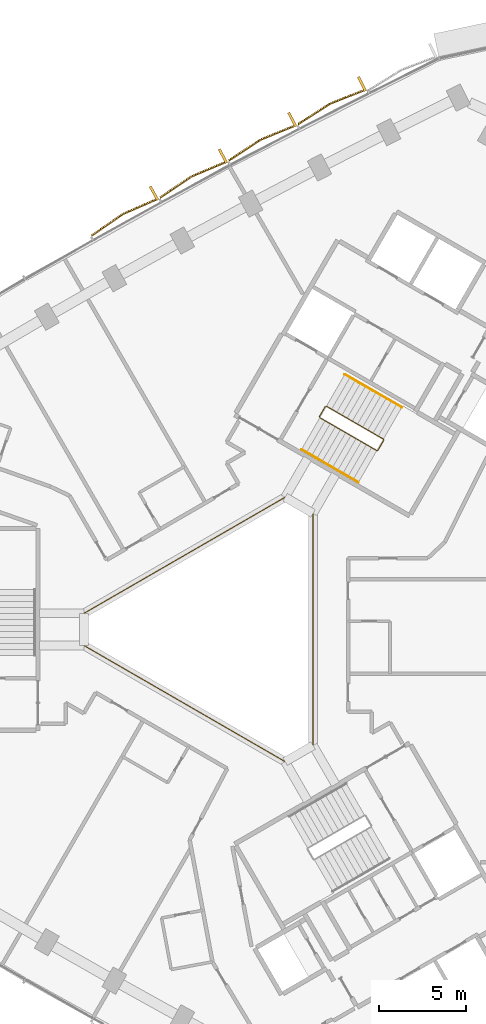
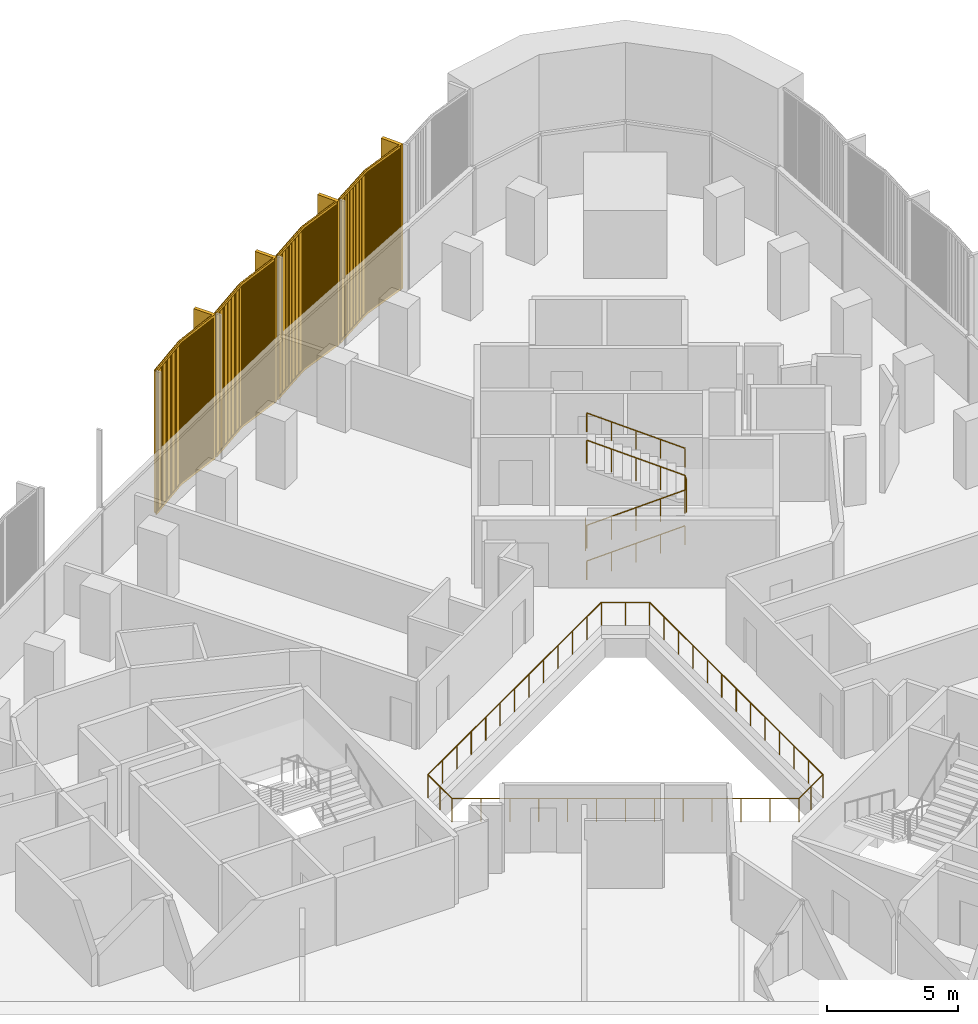
# One storey, part 14 of 15: 4 coverings, 4 railings.
"""IFC4 building model written with IfcOpenShell, lengths in metres."""

from ifc_helpers import new_model, si_unit, direction, frame, frame_2d, origin, origin_2d, place, context, subcontext, project, spatial, rectangle, circle, extrude, source, transform, mapped, material, type_object, element, save


model = new_model("IFC4")

# Units and contexts
model_context = context("Model", 3, precision=1e-05, world=origin(), true_north=direction((0.0, 1.0)))
body_context = subcontext(model_context, "Body", "Model", "MODEL_VIEW")
ifc_project = project(units=[si_unit("LENGTHUNIT", "METRE"), si_unit("AREAUNIT", "SQUARE_METRE"), si_unit("VOLUMEUNIT", "CUBIC_METRE"), si_unit("PLANEANGLEUNIT", "RADIAN"), si_unit("MASSUNIT", "GRAM", prefix="KILO")], contexts=[model_context])

# Site, building, storey
site_placement = place(None, origin())
site = spatial("IfcSite", under=ifc_project, at=site_placement, CompositionType="ELEMENT")
building_placement = place(site_placement, origin())
building = spatial("IfcBuilding", under=site, at=building_placement, Name="Tamra Quay Hotel Tower", CompositionType="ELEMENT")
storey_placement = place(building_placement, frame((0.0, 0.0, 90.199951171875)))
storey = spatial("IfcBuildingStorey", under=building, at=storey_placement, Name="L21", CompositionType="ELEMENT", Elevation=90.199951171875)

# Railings
ifc_material_1 = material(Name="Guard atrium edge 1100")
railing_type_1 = type_object("IfcRailingType", Name="Guard atrium edge 1100", PredefinedType="GUARDRAIL", material=ifc_material_1)
railing_1_placement = place(storey_placement, frame((4.89990234375, -6.639892578125, 0.0)))
element("IfcRailing", 1, at=railing_1_placement, inside=storey, type_object=railing_type_1, Name="G-A", PredefinedType="GUARDRAIL", context=body_context, shape_type="SweptSolid", body=[
    extrude(circle(Radius=0.02392578125, at=origin_2d()), frame((0.0, 0.0, 1.076171875), z_axis=(-0.866161379324, -0.499764409465, 0.0), x_axis=(0.499764409465, -0.866161379324, 0.0)), (0.0, 0.0, 1.0), 1.84716796875),
    extrude(circle(Radius=0.02392578125, at=origin_2d()), frame((-1.599853515625, -0.923095703125, 1.076171875), z_axis=(-0.866045362687, 0.499965428574, 0.0), x_axis=(-0.499965428574, -0.866045362687, 0.0)), (0.0, 0.0, 1.0), 13.27880859375),
    extrude(circle(Radius=0.02392578125, at=origin_2d()), frame((-13.099853515625, 5.7158203125, 1.076171875), z_axis=(0.0, 1.0, 0.0), x_axis=(-1.0, 0.0, 0.0)), (0.0, 0.0, 1.0), 1.84814453125),
    extrude(circle(Radius=0.02392578125, at=origin_2d()), frame((-13.099853515625, 7.56396484375, 1.076171875), z_axis=(0.866045362687, 0.499965428574, 0.0), x_axis=(-0.499965428574, 0.866045362687, 0.0)), (0.0, 0.0, 1.0), 13.27880859375),
    extrude(circle(Radius=0.02392578125, at=origin_2d()), frame((-1.599853515625, 14.202880859375, 1.076171875), z_axis=(0.866161379324, -0.499764409465, 0.0), x_axis=(0.499764409465, 0.866161379324, 0.0)), (0.0, 0.0, 1.0), 1.84716796875),
    extrude(circle(Radius=0.02392578125, at=origin_2d()), frame((0.0, 13.27978515625, 1.076171875), z_axis=(0.0, -1.0, 0.0), x_axis=(1.0, 0.0, 0.0)), (0.0, 0.0, 1.0), 13.27978515625),
    extrude(circle(Radius=0.02099609375, at=origin_2d()), origin(), (0.0, 0.0, 1.0), 1.052001953125),
    extrude(circle(Radius=0.02099609375, at=origin_2d()), frame((-0.7998046875, -0.46142578125, 0.0)), (0.0, 0.0, 1.0), 1.052001953125),
    extrude(circle(Radius=0.02099609375, at=origin_2d()), frame((-1.599853515625, -0.923095703125, 0.0)), (0.0, 0.0, 1.0), 1.052001953125),
    extrude(circle(Radius=0.02099609375, at=origin_2d()), frame((-2.55810546875, -0.369873046875, 0.0)), (0.0, 0.0, 1.0), 1.052001953125),
    extrude(circle(Radius=0.02099609375, at=origin_2d()), frame((-3.5166015625, 0.183349609375, 0.0)), (0.0, 0.0, 1.0), 1.052001953125),
    extrude(circle(Radius=0.02099609375, at=origin_2d()), frame((-4.474853515625, 0.736572265625, 0.0)), (0.0, 0.0, 1.0), 1.052001953125),
    extrude(circle(Radius=0.02099609375, at=origin_2d()), frame((-5.43310546875, 1.289794921875, 0.0)), (0.0, 0.0, 1.0), 1.052001953125),
    extrude(circle(Radius=0.02099609375, at=origin_2d()), frame((-6.3916015625, 1.843017578125, 0.0)), (0.0, 0.0, 1.0), 1.052001953125),
    extrude(circle(Radius=0.02099609375, at=origin_2d()), frame((-7.349853515625, 2.396484375, 0.0)), (0.0, 0.0, 1.0), 1.052001953125),
    extrude(circle(Radius=0.02099609375, at=origin_2d()), frame((-8.30810546875, 2.94970703125, 0.0)), (0.0, 0.0, 1.0), 1.052001953125),
    extrude(circle(Radius=0.02099609375, at=origin_2d()), frame((-9.2666015625, 3.5029296875, 0.0)), (0.0, 0.0, 1.0), 1.052001953125),
    extrude(circle(Radius=0.02099609375, at=origin_2d()), frame((-10.224853515625, 4.05615234375, 0.0)), (0.0, 0.0, 1.0), 1.052001953125),
    extrude(circle(Radius=0.02099609375, at=origin_2d()), frame((-11.18310546875, 4.609375, 0.0)), (0.0, 0.0, 1.0), 1.052001953125),
    extrude(circle(Radius=0.02099609375, at=origin_2d()), frame((-12.1416015625, 5.16259765625, 0.0)), (0.0, 0.0, 1.0), 1.052001953125),
    extrude(circle(Radius=0.02099609375, at=origin_2d()), frame((-13.099853515625, 5.7158203125, 0.0)), (0.0, 0.0, 1.0), 1.052001953125),
    extrude(circle(Radius=0.02099609375, at=origin_2d()), frame((-13.099853515625, 6.639892578125, 0.0)), (0.0, 0.0, 1.0), 1.052001953125),
    extrude(circle(Radius=0.02099609375, at=origin_2d()), frame((-13.099853515625, 7.56396484375, 0.0)), (0.0, 0.0, 1.0), 1.052001953125),
    extrude(circle(Radius=0.02099609375, at=origin_2d()), frame((-12.1416015625, 8.1171875, 0.0)), (0.0, 0.0, 1.0), 1.052001953125),
    extrude(circle(Radius=0.02099609375, at=origin_2d()), frame((-11.18310546875, 8.67041015625, 0.0)), (0.0, 0.0, 1.0), 1.052001953125),
    extrude(circle(Radius=0.02099609375, at=origin_2d()), frame((-10.224853515625, 9.2236328125, 0.0)), (0.0, 0.0, 1.0), 1.052001953125),
    extrude(circle(Radius=0.02099609375, at=origin_2d()), frame((-9.2666015625, 9.77685546875, 0.0)), (0.0, 0.0, 1.0), 1.052001953125),
    extrude(circle(Radius=0.02099609375, at=origin_2d()), frame((-8.30810546875, 10.330078125, 0.0)), (0.0, 0.0, 1.0), 1.052001953125),
    extrude(circle(Radius=0.02099609375, at=origin_2d()), frame((-7.349853515625, 10.88330078125, 0.0)), (0.0, 0.0, 1.0), 1.052001953125),
    extrude(circle(Radius=0.02099609375, at=origin_2d()), frame((-6.3916015625, 11.436767578125, 0.0)), (0.0, 0.0, 1.0), 1.052001953125),
    extrude(circle(Radius=0.02099609375, at=origin_2d()), frame((-5.43310546875, 11.989990234375, 0.0)), (0.0, 0.0, 1.0), 1.052001953125),
    extrude(circle(Radius=0.02099609375, at=origin_2d()), frame((-4.474853515625, 12.543212890625, 0.0)), (0.0, 0.0, 1.0), 1.052001953125),
    extrude(circle(Radius=0.02099609375, at=origin_2d()), frame((-3.5166015625, 13.096435546875, 0.0)), (0.0, 0.0, 1.0), 1.052001953125),
    extrude(circle(Radius=0.02099609375, at=origin_2d()), frame((-2.55810546875, 13.649658203125, 0.0)), (0.0, 0.0, 1.0), 1.052001953125),
    extrude(circle(Radius=0.02099609375, at=origin_2d()), frame((-1.599853515625, 14.202880859375, 0.0)), (0.0, 0.0, 1.0), 1.052001953125),
    extrude(circle(Radius=0.02099609375, at=origin_2d()), frame((-0.7998046875, 13.7412109375, 0.0)), (0.0, 0.0, 1.0), 1.052001953125),
    extrude(circle(Radius=0.02099609375, at=origin_2d()), frame((0.0, 13.27978515625, 0.0)), (0.0, 0.0, 1.0), 1.052001953125),
    extrude(circle(Radius=0.02099609375, at=origin_2d()), frame((0.0, 12.173095703125, 0.0)), (0.0, 0.0, 1.0), 1.052001953125),
    extrude(circle(Radius=0.02099609375, at=origin_2d()), frame((0.0, 11.06640625, 0.0)), (0.0, 0.0, 1.0), 1.052001953125),
    extrude(circle(Radius=0.02099609375, at=origin_2d()), frame((0.0, 9.9599609375, 0.0)), (0.0, 0.0, 1.0), 1.052001953125),
    extrude(circle(Radius=0.02099609375, at=origin_2d()), frame((0.0, 8.853271484375, 0.0)), (0.0, 0.0, 1.0), 1.052001953125),
    extrude(circle(Radius=0.02099609375, at=origin_2d()), frame((0.0, 7.74658203125, 0.0)), (0.0, 0.0, 1.0), 1.052001953125),
    extrude(circle(Radius=0.02099609375, at=origin_2d()), frame((0.0, 6.639892578125, 0.0)), (0.0, 0.0, 1.0), 1.052001953125),
    extrude(circle(Radius=0.02099609375, at=origin_2d()), frame((0.0, 5.533203125, 0.0)), (0.0, 0.0, 1.0), 1.052001953125),
    extrude(circle(Radius=0.02099609375, at=origin_2d()), frame((0.0, 4.426513671875, 0.0)), (0.0, 0.0, 1.0), 1.052001953125),
    extrude(circle(Radius=0.02099609375, at=origin_2d()), frame((0.0, 3.31982421875, 0.0)), (0.0, 0.0, 1.0), 1.052001953125),
    extrude(circle(Radius=0.02099609375, at=origin_2d()), frame((0.0, 2.21337890625, 0.0)), (0.0, 0.0, 1.0), 1.052001953125),
    extrude(circle(Radius=0.02099609375, at=origin_2d()), frame((0.0, 1.106689453125, 0.0)), (0.0, 0.0, 1.0), 1.052001953125),
])
ifc_material_2 = material(Name="Stair guard 1100")
railing_type_2 = type_object("IfcRailingType", Name="Stair guard 1100", PredefinedType="GUARDRAIL", material=ifc_material_2)
railing_2_placement = place(storey_placement, frame((5.595458984375, 12.751953125, 0.0)))
element("IfcRailing", 2, at=railing_2_placement, inside=storey, type_object=railing_type_2, Name="GR", PredefinedType="GUARDRAIL", context=body_context, shape_type="SweptSolid", body=[
    extrude(circle(Radius=0.02392578125, at=origin_2d()), frame((0.0, 0.0, 1.076171875), z_axis=(-0.499765215335, -0.866160914346, 0.0), x_axis=(0.866160914346, -0.499765215335, 0.0)), (0.0, 0.0, 1.0), 0.658935546875),
    extrude(circle(Radius=0.02392578125, at=origin_2d()), frame((-0.329345703125, -0.57080078125, 1.076171875), z_axis=(0.110378772244, -0.410609032747, 0.905105932399), x_axis=(0.965715946433, 0.259601060869, 0.0)), (0.0, 0.0, 1.0), 0.165771484375),
    extrude(circle(Radius=0.02392578125, at=origin_2d()), frame((-0.31103515625, -0.638916015625, 1.22607421875), z_axis=(0.793078462799, -0.457933869594, 0.401650498471), x_axis=(0.500040788363, 0.866001853331, 0.0)), (0.0, 0.0, 1.0), 4.10791015625),
    extrude(circle(Radius=0.02392578125, at=origin_2d()), frame((2.94677734375, -2.52001953125, 2.8759765625), z_axis=(0.965948051503, 0.258736085224, 0.0), x_axis=(-0.258736085224, 0.965948051503, 0.0)), (0.0, 0.0, 1.0), 0.07080078125),
    extrude(circle(Radius=0.02392578125, at=origin_2d()), frame((3.01513671875, -2.501708984375, 2.8759765625), z_axis=(0.500043078269, 0.866000531106, 0.0), x_axis=(-0.866000531106, 0.500043078269, 0.0)), (0.0, 0.0, 1.0), 0.6591796875),
    extrude(circle(Radius=0.02392578125, at=origin_2d()), frame((3.3447265625, -1.930908203125, 2.8759765625), z_axis=(-0.110525977783, 0.411156637351, 0.904839338113), x_axis=(-0.965715946433, -0.259601060869, 0.0)), (0.0, 0.0, 1.0), 0.165771484375),
    extrude(circle(Radius=0.02392578125, at=origin_2d()), frame((3.326416015625, -1.86279296875, 3.02587890625), z_axis=(-0.793081581205, 0.457901355053, 0.401681409319), x_axis=(-0.500012686397, -0.866018079166, 0.0)), (0.0, 0.0, 1.0), 4.108154296875),
    extrude(circle(Radius=0.02099609375, at=origin_2d()), origin(), (0.0, 0.0, 1.0), 1.052001953125),
    extrude(circle(Radius=0.02099609375, at=origin_2d()), frame((-0.329345703125, -0.57080078125, 0.0)), (0.0, 0.0, 1.0), 1.052001953125),
    extrude(circle(Radius=0.02099609375, at=origin_2d()), frame((-0.31103515625, -0.638916015625, 0.150146484375)), (0.0, 0.0, 1.0), 1.052001953125),
    extrude(circle(Radius=0.02099609375, at=origin_2d()), frame((0.50341796875, -1.109130859375, 0.5625)), (0.0, 0.0, 1.0), 1.052001953125),
    extrude(circle(Radius=0.02099609375, at=origin_2d()), frame((1.31787109375, -1.57958984375, 0.97509765625)), (0.0, 0.0, 1.0), 1.052001953125),
    extrude(circle(Radius=0.02099609375, at=origin_2d()), frame((2.13232421875, -2.0498046875, 1.3876953125)), (0.0, 0.0, 1.0), 1.052001953125),
    extrude(circle(Radius=0.02099609375, at=origin_2d()), frame((2.94677734375, -2.52001953125, 1.800048828125)), (0.0, 0.0, 1.0), 1.052001953125),
    extrude(circle(Radius=0.02099609375, at=origin_2d()), frame((3.01513671875, -2.501708984375, 1.800048828125)), (0.0, 0.0, 1.0), 1.052001953125),
    extrude(circle(Radius=0.02099609375, at=origin_2d()), frame((3.3447265625, -1.930908203125, 1.800048828125)), (0.0, 0.0, 1.0), 1.052001953125),
    extrude(circle(Radius=0.02099609375, at=origin_2d()), frame((3.326416015625, -1.86279296875, 1.949951171875)), (0.0, 0.0, 1.0), 1.052001953125),
    extrude(circle(Radius=0.02099609375, at=origin_2d()), frame((2.511962890625, -1.392578125, 2.362548828125)), (0.0, 0.0, 1.0), 1.052001953125),
    extrude(circle(Radius=0.02099609375, at=origin_2d()), frame((1.697265625, -0.92236328125, 2.77490234375)), (0.0, 0.0, 1.0), 1.052001953125),
    extrude(circle(Radius=0.02099609375, at=origin_2d()), frame((0.8828125, -0.451904296875, 3.1875)), (0.0, 0.0, 1.0), 1.052001953125),
    extrude(circle(Radius=0.02099609375, at=origin_2d()), frame((0.068359375, 0.018310546875, 3.60009765625)), (0.0, 0.0, 1.0), 1.052001953125),
])
ifc_material_3 = material(Name="Stair handrail 900")
railing_type_3 = type_object("IfcRailingType", Name="Stair handrail 900", PredefinedType="HANDRAIL", material=ifc_material_3)
railing_3_placement = place(storey_placement, frame((4.234375, 10.294189453125, 0.150146484375)))
element("IfcRailing", 3, at=railing_3_placement, inside=storey, type_object=railing_type_3, Name="HR", PredefinedType="HANDRAIL", context=body_context, shape_type="SweptSolid", body=[
    extrude(circle(Radius=0.02392578125, at=origin_2d()), frame((0.0, 0.0, 0.8759765625), z_axis=(0.793122095483, -0.45786531462, 0.401642496911), x_axis=(0.499964013922, 0.86604617936, 0.0)), (0.0, 0.0, 1.0), 4.10791015625),
    extrude(circle(Radius=0.02099609375, at=origin_2d()), origin(), (0.0, 0.0, 1.0), 0.851806640625),
    extrude(circle(Radius=0.02099609375, at=origin_2d()), frame((0.814453125, -0.47021484375, 0.41259765625)), (0.0, 0.0, 1.0), 0.851806640625),
    extrude(circle(Radius=0.02099609375, at=origin_2d()), frame((1.62890625, -0.9404296875, 0.824951171875)), (0.0, 0.0, 1.0), 0.851806640625),
    extrude(circle(Radius=0.02099609375, at=origin_2d()), frame((2.443603515625, -1.41064453125, 1.2373046875)), (0.0, 0.0, 1.0), 0.851806640625),
    extrude(circle(Radius=0.02099609375, at=origin_2d()), frame((3.258056640625, -1.880859375, 1.64990234375)), (0.0, 0.0, 1.0), 0.851806640625),
])
railing_4_placement = place(storey_placement, frame((9.971923828125, 12.7080078125, 1.949951171875)))
element("IfcRailing", 4, at=railing_4_placement, inside=storey, type_object=railing_type_3, Name="HR", PredefinedType="HANDRAIL", context=body_context, shape_type="SweptSolid", body=[
    extrude(circle(Radius=0.02392578125, at=origin_2d()), frame((0.0, 0.0, 0.8759765625), z_axis=(-0.793103162556, 0.457854384738, 0.401692339881), x_axis=(-0.499964013922, -0.86604617936, 0.0)), (0.0, 0.0, 1.0), 4.10791015625),
    extrude(circle(Radius=0.02099609375, at=origin_2d()), origin(), (0.0, 0.0, 1.0), 0.851806640625),
    extrude(circle(Radius=0.02099609375, at=origin_2d()), frame((-0.814453125, 0.47021484375, 0.41259765625)), (0.0, 0.0, 1.0), 0.851806640625),
    extrude(circle(Radius=0.02099609375, at=origin_2d()), frame((-1.62890625, 0.9404296875, 0.8251953125)), (0.0, 0.0, 1.0), 0.851806640625),
    extrude(circle(Radius=0.02099609375, at=origin_2d()), frame((-2.443603515625, 1.41064453125, 1.237548828125)), (0.0, 0.0, 1.0), 0.851806640625),
    extrude(circle(Radius=0.02099609375, at=origin_2d()), frame((-3.258056640625, 1.880859375, 1.650146484375)), (0.0, 0.0, 1.0), 0.851806640625),
])

# Coverings
ifc_material_4 = material(Name="Terracotta baguette extruded", Category="masonry")
covering_type = type_object("IfcCoveringType", Name="BAGUETTE SCREEN NW-V H6775", PredefinedType="USERDEFINED", material=ifc_material_4)
shared_shape = source(origin(), body_context, "Body", "SweptSolid", [
    extrude(rectangle(XDim=2.20263671875, YDim=0.06005859375, at=frame_2d((1.101318359375, 0.030029296875))), frame((-2.1982421875, -0.0576171875, -0.1201171875), z_axis=(0.0, 0.0, 1.0), x_axis=(0.995396198367, -0.09584575252, 0.0)), (0.0, 0.0, 1.0), 0.1201171875),
    extrude(rectangle(XDim=2.20263671875, YDim=0.06005859375, at=frame_2d((1.101318359375, 0.030029296875))), frame((-2.1982421875, -0.0576171875, -6.77490234375), z_axis=(0.0, 0.0, 1.0), x_axis=(0.995396198367, -0.09584575252, 0.0)), (0.0, 0.0, 1.0), 0.1201171875),
    extrude(rectangle(XDim=0.070068359375, YDim=0.10009765625, at=frame_2d((0.03515625, 0.050048828125))), frame((-2.177734375, -0.1328125, -6.715087890625)), (0.0, 0.0, 1.0), 6.655029296875),
    extrude(rectangle(XDim=0.070068359375, YDim=0.10009765625, at=frame_2d((0.03515625, 0.050048828125))), frame((-2.078125, -0.142333984375, -6.715087890625)), (0.0, 0.0, 1.0), 6.655029296875),
    extrude(rectangle(XDim=0.070068359375, YDim=0.10009765625, at=frame_2d((0.03515625, 0.050048828125))), frame((-1.978271484375, -0.152099609375, -6.715087890625)), (0.0, 0.0, 1.0), 6.655029296875),
    extrude(rectangle(XDim=0.070068359375, YDim=0.10009765625, at=frame_2d((0.03515625, 0.050048828125))), frame((-1.878662109375, -0.16162109375, -6.715087890625)), (0.0, 0.0, 1.0), 6.655029296875),
    extrude(rectangle(XDim=0.070068359375, YDim=0.10009765625, at=frame_2d((0.03515625, 0.050048828125))), frame((-1.779052734375, -0.171142578125, -6.715087890625)), (0.0, 0.0, 1.0), 6.655029296875),
    extrude(rectangle(XDim=0.070068359375, YDim=0.10009765625, at=frame_2d((0.03515625, 0.050048828125))), frame((-1.679443359375, -0.1806640625, -6.715087890625)), (0.0, 0.0, 1.0), 6.655029296875),
    extrude(rectangle(XDim=0.070068359375, YDim=0.10009765625, at=frame_2d((0.03515625, 0.050048828125))), frame((-1.579833984375, -0.1904296875, -6.715087890625)), (0.0, 0.0, 1.0), 6.655029296875),
    extrude(rectangle(XDim=0.070068359375, YDim=0.10009765625, at=frame_2d((0.03515625, 0.050048828125))), frame((-1.47998046875, -0.199951171875, -6.715087890625)), (0.0, 0.0, 1.0), 6.655029296875),
    extrude(rectangle(XDim=0.070068359375, YDim=0.10009765625, at=frame_2d((0.03515625, 0.050048828125))), frame((-1.38037109375, -0.20947265625, -6.715087890625)), (0.0, 0.0, 1.0), 6.655029296875),
    extrude(rectangle(XDim=0.070068359375, YDim=0.10009765625, at=frame_2d((0.03515625, 0.050048828125))), frame((-1.28076171875, -0.21923828125, -6.715087890625)), (0.0, 0.0, 1.0), 6.655029296875),
    extrude(rectangle(XDim=0.070068359375, YDim=0.10009765625, at=frame_2d((0.03515625, 0.050048828125))), frame((-1.18115234375, -0.228759765625, -6.715087890625)), (0.0, 0.0, 1.0), 6.655029296875),
    extrude(rectangle(XDim=0.070068359375, YDim=0.10009765625, at=frame_2d((0.03515625, 0.050048828125))), frame((-1.081298828125, -0.23828125, -6.715087890625)), (0.0, 0.0, 1.0), 6.655029296875),
    extrude(rectangle(XDim=0.070068359375, YDim=0.10009765625, at=frame_2d((0.03515625, 0.050048828125))), frame((-0.981689453125, -0.248046875, -6.715087890625)), (0.0, 0.0, 1.0), 6.655029296875),
    extrude(rectangle(XDim=0.070068359375, YDim=0.10009765625, at=frame_2d((0.03515625, 0.050048828125))), frame((-0.882080078125, -0.257568359375, -6.715087890625)), (0.0, 0.0, 1.0), 6.655029296875),
    extrude(rectangle(XDim=0.070068359375, YDim=0.10009765625, at=frame_2d((0.03515625, 0.050048828125))), frame((-0.782470703125, -0.26708984375, -6.715087890625)), (0.0, 0.0, 1.0), 6.655029296875),
    extrude(rectangle(XDim=0.070068359375, YDim=0.10009765625, at=frame_2d((0.03515625, 0.050048828125))), frame((-0.682861328125, -0.27685546875, -6.715087890625)), (0.0, 0.0, 1.0), 6.655029296875),
    extrude(rectangle(XDim=0.070068359375, YDim=0.10009765625, at=frame_2d((0.03515625, 0.050048828125))), frame((-0.583251953125, -0.286376953125, -6.715087890625)), (0.0, 0.0, 1.0), 6.655029296875),
    extrude(rectangle(XDim=0.070068359375, YDim=0.10009765625, at=frame_2d((0.03515625, 0.050048828125))), frame((-0.4833984375, -0.2958984375, -6.715087890625)), (0.0, 0.0, 1.0), 6.655029296875),
    extrude(rectangle(XDim=0.070068359375, YDim=0.10009765625, at=frame_2d((0.03515625, 0.050048828125))), frame((-0.3837890625, -0.305419921875, -6.715087890625)), (0.0, 0.0, 1.0), 6.655029296875),
    extrude(rectangle(XDim=0.070068359375, YDim=0.10009765625, at=frame_2d((0.03515625, 0.050048828125))), frame((-0.2841796875, -0.315185546875, -6.715087890625)), (0.0, 0.0, 1.0), 6.655029296875),
    extrude(rectangle(XDim=0.070068359375, YDim=0.10009765625, at=frame_2d((0.03515625, 0.050048828125))), frame((-0.1845703125, -0.32470703125, -6.715087890625)), (0.0, 0.0, 1.0), 6.655029296875),
    extrude(rectangle(XDim=0.070068359375, YDim=0.10009765625, at=frame_2d((0.03515625, 0.050048828125))), frame((-0.084716796875, -0.334228515625, -6.715087890625)), (0.0, 0.0, 1.0), 6.655029296875),
    extrude(rectangle(XDim=2.20263671875, YDim=0.06005859375, at=frame_2d((1.101318359375, 0.030029296875))), frame((0.005859375, -0.268798828125, -0.1201171875), z_axis=(0.0, 0.0, 1.0), x_axis=(0.995396198367, 0.09584575252, 0.0)), (0.0, 0.0, 1.0), 0.1201171875),
    extrude(rectangle(XDim=2.20263671875, YDim=0.06005859375, at=frame_2d((1.101318359375, 0.030029296875))), frame((0.005859375, -0.268798828125, -6.77490234375), z_axis=(0.0, 0.0, 1.0), x_axis=(0.995396198367, 0.09584575252, 0.0)), (0.0, 0.0, 1.0), 0.1201171875),
    extrude(rectangle(XDim=0.070068359375, YDim=0.10009765625, at=frame_2d((0.03515625, 0.050048828125))), frame((0.014892578125, -0.334228515625, -6.715087890625)), (0.0, 0.0, 1.0), 6.655029296875),
    extrude(rectangle(XDim=0.070068359375, YDim=0.10009765625, at=frame_2d((0.03515625, 0.050048828125))), frame((0.114501953125, -0.32470703125, -6.715087890625)), (0.0, 0.0, 1.0), 6.655029296875),
    extrude(rectangle(XDim=0.070068359375, YDim=0.10009765625, at=frame_2d((0.03515625, 0.050048828125))), frame((0.214111328125, -0.315185546875, -6.715087890625)), (0.0, 0.0, 1.0), 6.655029296875),
    extrude(rectangle(XDim=0.070068359375, YDim=0.10009765625, at=frame_2d((0.03515625, 0.050048828125))), frame((0.313720703125, -0.305419921875, -6.715087890625)), (0.0, 0.0, 1.0), 6.655029296875),
    extrude(rectangle(XDim=0.070068359375, YDim=0.10009765625, at=frame_2d((0.03515625, 0.050048828125))), frame((0.41357421875, -0.2958984375, -6.715087890625)), (0.0, 0.0, 1.0), 6.655029296875),
    extrude(rectangle(XDim=0.070068359375, YDim=0.10009765625, at=frame_2d((0.03515625, 0.050048828125))), frame((0.51318359375, -0.286376953125, -6.715087890625)), (0.0, 0.0, 1.0), 6.655029296875),
    extrude(rectangle(XDim=0.070068359375, YDim=0.10009765625, at=frame_2d((0.03515625, 0.050048828125))), frame((0.61279296875, -0.27685546875, -6.715087890625)), (0.0, 0.0, 1.0), 6.655029296875),
    extrude(rectangle(XDim=0.070068359375, YDim=0.10009765625, at=frame_2d((0.03515625, 0.050048828125))), frame((0.71240234375, -0.26708984375, -6.715087890625)), (0.0, 0.0, 1.0), 6.655029296875),
    extrude(rectangle(XDim=0.070068359375, YDim=0.10009765625, at=frame_2d((0.03515625, 0.050048828125))), frame((0.81201171875, -0.257568359375, -6.715087890625)), (0.0, 0.0, 1.0), 6.655029296875),
    extrude(rectangle(XDim=0.070068359375, YDim=0.10009765625, at=frame_2d((0.03515625, 0.050048828125))), frame((0.911865234375, -0.248046875, -6.715087890625)), (0.0, 0.0, 1.0), 6.655029296875),
    extrude(rectangle(XDim=0.070068359375, YDim=0.10009765625, at=frame_2d((0.03515625, 0.050048828125))), frame((1.011474609375, -0.23828125, -6.715087890625)), (0.0, 0.0, 1.0), 6.655029296875),
    extrude(rectangle(XDim=0.070068359375, YDim=0.10009765625, at=frame_2d((0.03515625, 0.050048828125))), frame((1.111083984375, -0.228759765625, -6.715087890625)), (0.0, 0.0, 1.0), 6.655029296875),
    extrude(rectangle(XDim=0.070068359375, YDim=0.10009765625, at=frame_2d((0.03515625, 0.050048828125))), frame((1.210693359375, -0.21923828125, -6.715087890625)), (0.0, 0.0, 1.0), 6.655029296875),
    extrude(rectangle(XDim=0.070068359375, YDim=0.10009765625, at=frame_2d((0.03515625, 0.050048828125))), frame((1.310302734375, -0.20947265625, -6.715087890625)), (0.0, 0.0, 1.0), 6.655029296875),
    extrude(rectangle(XDim=0.070068359375, YDim=0.10009765625, at=frame_2d((0.03515625, 0.050048828125))), frame((1.41015625, -0.199951171875, -6.715087890625)), (0.0, 0.0, 1.0), 6.655029296875),
    extrude(rectangle(XDim=0.070068359375, YDim=0.10009765625, at=frame_2d((0.03515625, 0.050048828125))), frame((1.509765625, -0.1904296875, -6.715087890625)), (0.0, 0.0, 1.0), 6.655029296875),
    extrude(rectangle(XDim=0.070068359375, YDim=0.10009765625, at=frame_2d((0.03515625, 0.050048828125))), frame((1.609375, -0.1806640625, -6.715087890625)), (0.0, 0.0, 1.0), 6.655029296875),
    extrude(rectangle(XDim=0.070068359375, YDim=0.10009765625, at=frame_2d((0.03515625, 0.050048828125))), frame((1.708984375, -0.171142578125, -6.715087890625)), (0.0, 0.0, 1.0), 6.655029296875),
    extrude(rectangle(XDim=0.070068359375, YDim=0.10009765625, at=frame_2d((0.03515625, 0.050048828125))), frame((1.80859375, -0.16162109375, -6.715087890625)), (0.0, 0.0, 1.0), 6.655029296875),
    extrude(rectangle(XDim=0.070068359375, YDim=0.10009765625, at=frame_2d((0.03515625, 0.050048828125))), frame((1.908447265625, -0.152099609375, -6.715087890625)), (0.0, 0.0, 1.0), 6.655029296875),
    extrude(rectangle(XDim=0.070068359375, YDim=0.10009765625, at=frame_2d((0.03515625, 0.050048828125))), frame((2.008056640625, -0.142333984375, -6.715087890625)), (0.0, 0.0, 1.0), 6.655029296875),
    extrude(rectangle(XDim=0.070068359375, YDim=0.10009765625, at=frame_2d((0.03515625, 0.050048828125))), frame((2.107666015625, -0.1328125, -6.715087890625)), (0.0, 0.0, 1.0), 6.655029296875),
    extrude(rectangle(XDim=0.14990234375, YDim=0.902099609375, at=frame_2d((0.074951171875, 0.451171875))), frame((-2.1923828125, -0.89990234375, -6.77490234375)), (0.0, 0.0, 1.0), 6.77490234375),
])
for number, where, z_axis, x_axis, name in (
    (5, (6.014892578125, 29.84521484375, 6.775146484375), (0.0, 0.0, 1.0), (-0.890544543472, -0.454896049765, 0.0), "Baguette screen L21.NW.f01"),
    (6, (2.041015625, 27.78662109375, 6.775146484375), (0.0, 0.0, 1.0), (-0.885306192952, -0.465008542631, 0.0), "Baguette screen L21.NW.f02"),
    (7, (-1.909423828125, 25.6826171875, 6.775146484375), (0.0, 0.0, 1.0), (-0.879945635118, -0.475074393371, 0.0), "Baguette screen L21.NW.f03"),
    (8, (-5.835693359375, 23.533935546875, 6.775146484375), (0.0, 0.0, 1.0), (-0.874465248197, -0.485088166931, 0.0), "Baguette screen L21.NW.f04"),
):
    element("IfcCovering", number, at=place(storey_placement, frame(where, z_axis=z_axis, x_axis=x_axis)), inside=storey, type_object=covering_type, Name=name, ObjectType="BAGUETTE SCREEN", PredefinedType="USERDEFINED", context=body_context, shape_type="MappedRepresentation", body=[
        mapped(shared_shape, transform((0.0, 0.0, 0.0), scale=1.0)),
    ])

save(model, "model.ifc")
